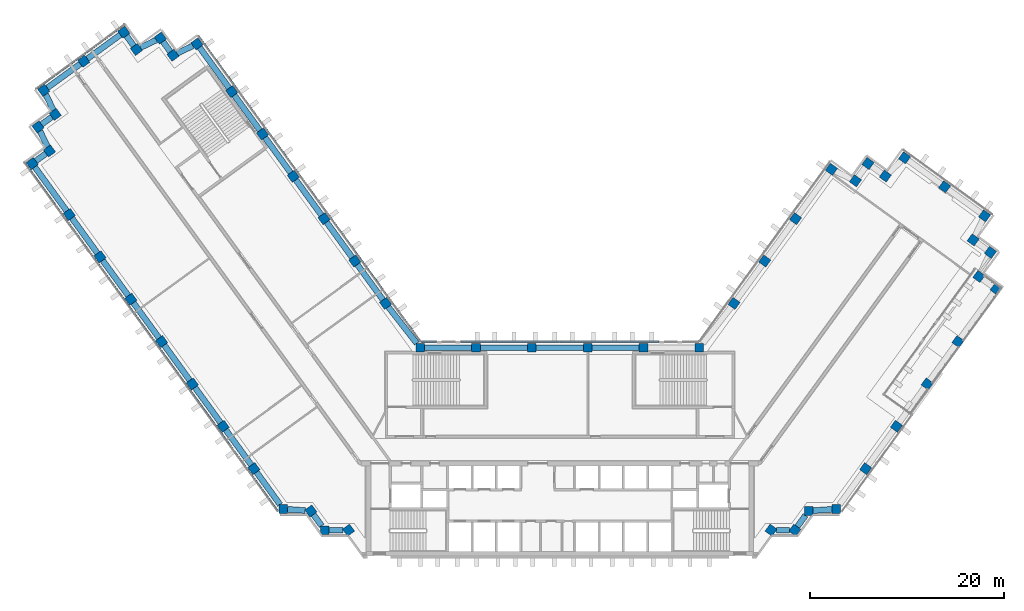
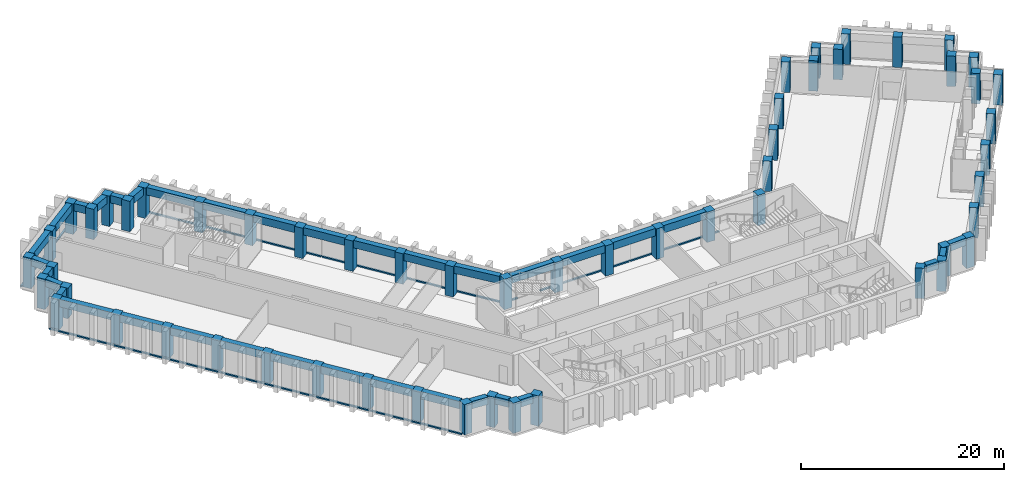
"""IFC4 building model written with IfcOpenShell, lengths in metres."""

from ifc_helpers import new_model, si_unit, direction, frame, origin, origin_2d, place, context, subcontext, project, spatial, rectangle, extrude, material, material_profile, profile_set, type_object, element, aggregate, save


model = new_model("IFC4")

# Units and contexts
model_context = context("Model", 3, precision=1e-05, world=origin(), true_north=direction((0.0, 1.0)))
body_context = subcontext(model_context, "Body", "Model", "MODEL_VIEW")
ifc_project = project(units=[si_unit("LENGTHUNIT", "METRE"), si_unit("AREAUNIT", "SQUARE_METRE"), si_unit("VOLUMEUNIT", "CUBIC_METRE"), si_unit("PLANEANGLEUNIT", "RADIAN"), si_unit("MASSUNIT", "GRAM", prefix="KILO")], contexts=[model_context])

# Site, building, storey
site_placement = place(None, origin())
site = spatial("IfcSite", under=ifc_project, at=site_placement, CompositionType="ELEMENT")
building_placement = place(site_placement, origin())
building = spatial("IfcBuilding", under=site, at=building_placement, Name="Quipu Civic Tower", CompositionType="ELEMENT")
storey_1_placement = place(building_placement, frame((0.0, 0.0, 93.0)))
storey_1 = spatial("IfcBuildingStorey", under=building, at=storey_1_placement, Name="L21", CompositionType="ELEMENT", Elevation=93.0)

# Columns
ifc_material_1 = material(Name="Concrete C60/75", Category="concrete")
ifc_material_profile_1 = material_profile(ifc_material_1, rectangle(XDim=0.89990234375, YDim=0.89990234375, at=origin_2d()), Name="RC900x900")
ifc_profile_set_1 = profile_set([ifc_material_profile_1], Name="Concrete C60/75")
column_type = type_object("IfcColumnType", Name="Perimeter column RC 900x900 C60/75", PredefinedType="COLUMN", material=ifc_profile_set_1)
for number, where, z_axis, x_axis, name in (
    (1, (-17.9736328125, 15.074951171875, 0.0), (0.0, 0.0, 1.0), (-0.587785252292, 0.809016994375, 0.0), "Column L21 W-IN-01"),
    (2, (-21.1474609375, 19.44384765625, 0.0), (0.0, 0.0, 1.0), (-0.587785252292, 0.809016994375, 0.0), "Column L21 W-IN-02"),
    (3, (-24.3212890625, 23.8125, 0.0), (0.0, 0.0, 1.0), (-0.587785252292, 0.809016994375, 0.0), "Column L21 W-IN-03"),
    (4, (-27.4951171875, 28.181396484375, 0.0), (0.0, 0.0, 1.0), (-0.587785252292, 0.809016994375, 0.0), "Column L21 W-IN-04"),
    (5, (-30.6689453125, 32.55029296875, 0.0), (0.0, 0.0, 1.0), (-0.587785252292, 0.809016994375, 0.0), "Column L21 W-IN-05"),
    (6, (-33.843017578125, 36.919189453125, 0.0), (0.0, 0.0, 1.0), (-0.587785252292, 0.809016994375, 0.0), "Column L21 W-IN-06"),
    (7, (-37.425048828125, 41.85009765625, 0.0), (0.0, 0.0, 1.0), (-0.587785252292, 0.809016994375, 0.0), "Column L21 T-Wi.0-W50"),
    (8, (-39.905517578125, 40.666015625, 0.0), (0.0, 0.0, 1.0), (-0.587785252292, 0.809016994375, 0.0), "Column L21 T-Wi.1-W50"),
    (9, (-41.199951171875, 42.445068359375, 0.0), (0.0, 0.0, 1.0), (-0.587785252292, 0.809016994375, 0.0), "Column L21 T-Wi.2-W50"),
    (10, (-43.674560546875, 41.264892578125, 0.0), (0.0, 0.0, 1.0), (-0.809016994375, -0.587785252292, 0.0), "Column L21 T-Wi.3-W50"),
    (11, (-44.969970703125, 43.044921875, 0.0), (0.0, 0.0, 1.0), (-0.809016994375, -0.587785252292, 0.0), "Column L21 T-Wi.4-W50"),
    (12, (-49.095703125, 40.046875, 0.0), (0.0, 0.0, 1.0), (-0.809016994375, -0.587785252292, 0.0), "Column L21 TIP-W-01-W50"),
    (13, (-53.219970703125, 37.050048828125, 0.0), (0.0, 0.0, 1.0), (0.587785252292, -0.809016994375, 0.0), "Column L21 T-Wo.0-W50"),
    (14, (-52.038818359375, 34.571044921875, 0.0), (0.0, 0.0, 1.0), (-0.809016994375, -0.587785252292, 0.0), "Column L21 T-Wo.1-W50"),
    (15, (-53.820068359375, 33.27490234375, 0.0), (0.0, 0.0, 1.0), (0.587785252292, -0.809016994375, 0.0), "Column L21 T-Wo.2-W50"),
    (16, (-52.635986328125, 30.799560546875, 0.0), (0.0, 0.0, 1.0), (-0.809016994375, -0.587785252292, 0.0), "Column L21 T-Wo.3-W50"),
    (17, (-54.4150390625, 29.5048828125, 0.0), (0.0, 0.0, 1.0), (0.587785252292, -0.809016994375, 0.0), "Column L21 T-Wo.4-W50"),
    (18, (-50.59228515625, 24.243408203125, 0.0), (0.0, 0.0, 1.0), (0.587785252292, -0.809016994375, 0.0), "Column L21 W-OUT-07"),
    (19, (-47.41845703125, 19.874755859375, 0.0), (0.0, 0.0, 1.0), (0.587785252292, -0.809016994375, 0.0), "Column L21 W-OUT-06"),
    (20, (-44.244384765625, 15.506103515625, 0.0), (0.0, 0.0, 1.0), (0.587785252292, -0.809016994375, 0.0), "Column L21 W-OUT-05"),
    (21, (-41.0703125, 11.137451171875, 0.0), (0.0, 0.0, 1.0), (0.587785252292, -0.809016994375, 0.0), "Column L21 W-OUT-04"),
    (22, (-37.896240234375, 6.768798828125, 0.0), (0.0, 0.0, 1.0), (0.587785252292, -0.809016994375, 0.0), "Column L21 W-OUT-03"),
    (23, (-34.722412109375, 2.39990234375, 0.0), (0.0, 0.0, 1.0), (0.587785252292, -0.809016994375, 0.0), "Column L21 W-OUT-02"),
    (24, (-31.54833984375, -1.96875, 0.0), (0.0, 0.0, 1.0), (0.587785252292, -0.809016994375, 0.0), "Column L21 W-OUT-01"),
    (25, (-28.52490234375, -6.1298828125, 0.0), (0.0, 0.0, 1.0), (1.0, 0.0, 0.0), "Column L21 J-Wo.0"),
    (26, (-25.67431640625, -6.3369140625, 0.0), (0.0, 0.0, 1.0), (0.587785252292, -0.809016994375, 0.0), "Column L21 J-Wo.1"),
    (27, (-24.235107421875, -8.31494140625, 0.0), (0.0, 0.0, 1.0), (1.0, 0.0, 0.0), "Column L21 J-Wo.2"),
    (28, (-21.791748046875, -8.31494140625, 0.0), (0.0, 0.0, 1.0), (0.587785252292, -0.809016994375, 0.0), "Column L21 J-Wo.3"),
    (29, (21.791748046875, -8.31494140625, 0.0), (0.0, 0.0, 1.0), (0.587785252292, 0.809016994375, 0.0), "Column L21 J-Eo.1"),
    (30, (24.235107421875, -8.31494140625, 0.0), (0.0, 0.0, 1.0), (0.587785252292, 0.809016994375, 0.0), "Column L21 J-Eo.2"),
    (31, (25.67431640625, -6.3369140625, 0.0), (0.0, 0.0, 1.0), (1.0, 0.0, 0.0), "Column L21 J-Eo.3"),
    (32, (28.52490234375, -6.1298828125, 0.0), (0.0, 0.0, 1.0), (1.0, 0.0, 0.0), "Column L21 J-Eo.4"),
    (33, (31.54833984375, -1.96875, 0.0), (0.0, 0.0, 1.0), (0.587785252292, 0.809016994375, 0.0), "Column L21 E-OUT-01"),
    (34, (34.722412109375, 2.39990234375, 0.0), (0.0, 0.0, 1.0), (0.587785252292, 0.809016994375, 0.0), "Column L21 E-OUT-02"),
    (35, (37.896240234375, 6.768798828125, 0.0), (0.0, 0.0, 1.0), (0.587785252292, 0.809016994375, 0.0), "Column L21 E-OUT-03"),
    (36, (41.0703125, 11.137451171875, 0.0), (0.0, 0.0, 1.0), (0.587785252292, 0.809016994375, 0.0), "Column L21 E-OUT-04"),
    (37, (45.010009765625, 16.56005859375, 0.0), (0.0, 0.0, 1.0), (0.587785252292, 0.809016994375, 0.0), "Column L21 T-Eo.0-E34"),
    (38, (43.23095703125, 17.8544921875, 0.0), (0.0, 0.0, 1.0), (0.587785252292, 0.809016994375, 0.0), "Column L21 T-Eo.1-E34"),
    (39, (44.4150390625, 20.3349609375, 0.0), (0.0, 0.0, 1.0), (0.587785252292, 0.809016994375, 0.0), "Column L21 T-Eo.2-E34"),
    (40, (42.635009765625, 21.626220703125, 0.0), (0.0, 0.0, 1.0), (-0.809016994375, 0.587785252292, 0.0), "Column L21 T-Eo.3-E34"),
    (41, (43.81494140625, 24.10498046875, 0.0), (0.0, 0.0, 1.0), (-0.809016994375, 0.587785252292, 0.0), "Column L21 T-Eo.4-E34"),
    (42, (39.690673828125, 27.10205078125, 0.0), (0.0, 0.0, 1.0), (-0.809016994375, 0.587785252292, 0.0), "Column L21 TIP-E-01-E34"),
    (43, (35.56494140625, 30.10009765625, 0.0), (0.0, 0.0, 1.0), (-0.587785252292, -0.809016994375, 0.0), "Column L21 T-Ei.0-E34"),
    (44, (33.573974609375, 28.20947265625, 0.0), (0.0, 0.0, 1.0), (-0.809016994375, 0.587785252292, 0.0), "Column L21 T-Ei.1-E34"),
    (45, (31.794921875, 29.5, 0.0), (0.0, 0.0, 1.0), (-0.587785252292, -0.809016994375, 0.0), "Column L21 T-Ei.2-E34"),
    (46, (30.498779296875, 27.72265625, 0.0), (0.0, 0.0, 1.0), (-0.809016994375, 0.587785252292, 0.0), "Column L21 T-Ei.3-E34"),
    (47, (28.02001953125, 28.905029296875, 0.0), (0.0, 0.0, 1.0), (-0.809016994375, 0.587785252292, 0.0), "Column L21 T-Ei.4-E34"),
    (48, (24.3212890625, 23.8125, 0.0), (0.0, 0.0, 1.0), (-0.587785252292, -0.809016994375, 0.0), "Column L21 E-IN-03"),
    (49, (21.1474609375, 19.44384765625, 0.0), (0.0, 0.0, 1.0), (-0.587785252292, -0.809016994375, 0.0), "Column L21 E-IN-02"),
    (50, (17.9736328125, 15.074951171875, 0.0), (0.0, 0.0, 1.0), (-0.587785252292, -0.809016994375, 0.0), "Column L21 E-IN-01"),
    (51, (14.395263671875, 10.5, 0.0), (0.0, 0.0, 1.0), (-1.0, 0.0, 0.0), "Column L21 J-Ei.0"),
    (52, (8.63720703125, 10.5, 0.0), (0.0, 0.0, 1.0), (-1.0, 0.0, 0.0), "Column L21 FRONT-01"),
    (53, (2.87890625, 10.5, 0.0), (0.0, 0.0, 1.0), (-1.0, 0.0, 0.0), "Column L21 FRONT-02"),
    (54, (-2.87890625, 10.5, 0.0), (0.0, 0.0, 1.0), (-1.0, 0.0, 0.0), "Column L21 FRONT-03"),
    (55, (-8.63720703125, 10.5, 0.0), (0.0, 0.0, 1.0), (-1.0, 0.0, 0.0), "Column L21 FRONT-04"),
    (56, (-14.395263671875, 10.5, 0.0), (0.0, 0.0, 1.0), (-1.0, 0.0, 0.0), "Column L21 J-Wi.0"),
):
    element("IfcColumn", number, at=place(storey_1_placement, frame(where, z_axis=z_axis, x_axis=x_axis)), inside=storey_1, type_object=column_type, Name=name, PredefinedType="COLUMN", context=body_context, shape_type="SweptSolid", body=[
        extrude(rectangle(XDim=0.89990234375, YDim=0.89990234375, at=origin_2d()), origin(), (0.0, 0.0, 1.0), 3.64990234375),
    ])

# Beams
ifc_material_2 = material(Name="Concrete C50/60", Category="concrete")
ifc_material_profile_2 = material_profile(ifc_material_2, rectangle(XDim=0.60009765625, YDim=0.89990234375, at=origin_2d()), Name="RC600x900")
ifc_profile_set_2 = profile_set([ifc_material_profile_2], Name="Concrete C50/60")
beam_type = type_object("IfcBeamType", Name="Spandrel beam RC 600x900 C50/60", PredefinedType="SPANDREL", material=ifc_profile_set_2)
for number, where, z_axis, x_axis, name in (
    (57, (-18.238037109375, 15.43896484375, 3.199951171875), (-0.587716763865, 0.809066749701, 0.0), (-0.809066749701, -0.587716763865, 0.0), "Spandrel beam L21 W-IN-01 to W-IN-02"),
    (58, (-21.411865234375, 19.807861328125, 3.199951171875), (-0.587778073121, 0.809022210299, 0.0), (-0.809022210299, -0.587778073121, 0.0), "Spandrel beam L21 W-IN-02 to W-IN-03"),
    (59, (-24.585693359375, 24.1767578125, 3.199951171875), (-0.587778073121, 0.809022210299, 0.0), (-0.809022210299, -0.587778073121, 0.0), "Spandrel beam L21 W-IN-03 to W-IN-04"),
    (60, (-27.759765625, 28.545654296875, 3.199951171875), (-0.587742561851, 0.809048009076, 0.0), (-0.809048009076, -0.587742561851, 0.0), "Spandrel beam L21 W-IN-04 to W-IN-05"),
    (61, (-30.93359375, 32.914306640625, 3.199951171875), (-0.587716763865, 0.809066749701, 0.0), (-0.809066749701, -0.587716763865, 0.0), "Spandrel beam L21 W-IN-05 to W-IN-06"),
):
    element("IfcBeam", number, at=place(storey_1_placement, frame(where, z_axis=z_axis, x_axis=x_axis)), inside=storey_1, type_object=beam_type, Name=name, PredefinedType="SPANDREL", context=body_context, shape_type="SweptSolid", body=[
        extrude(rectangle(XDim=0.60009765625, YDim=0.89990234375, at=origin_2d()), origin(), (0.0, 0.0, 1.0), 4.5),
    ])
beam_1_placement = place(storey_1_placement, frame((-34.107421875, 37.283203125, 3.199951171875), z_axis=(-0.587732861365, 0.80905505602, 0.0), x_axis=(-0.80905505602, -0.587732861365, 0.0)))
element("IfcBeam", 62, at=beam_1_placement, inside=storey_1, type_object=beam_type, Name="Spandrel beam L21 W-IN-06 to T-Wi.0-W50", PredefinedType="SPANDREL", context=body_context, shape_type="SweptSolid", body=[
    extrude(rectangle(XDim=0.60009765625, YDim=0.89990234375, at=origin_2d()), origin(), (0.0, 0.0, 1.0), 5.194580078125),
])
beam_2_placement = place(storey_1_placement, frame((-37.837890625, 41.65283203125, 3.199951171875), z_axis=(-0.90245397739, -0.430786279601, 0.0), x_axis=(0.430786279601, -0.90245397739, 0.0)))
element("IfcBeam", 63, at=beam_2_placement, inside=storey_1, type_object=beam_type, Name="Spandrel beam L21 T-Wi.0-W50 to T-Wi.1-W50", PredefinedType="SPANDREL", context=body_context, shape_type="SweptSolid", body=[
    extrude(rectangle(XDim=0.60009765625, YDim=0.89990234375, at=origin_2d()), origin(), (0.0, 0.0, 1.0), 1.83349609375),
])
beam_3_placement = place(storey_1_placement, frame((-40.170166015625, 41.02978515625, 3.199951171875), z_axis=(-0.588461937499, 0.808524921146, 0.0), x_axis=(-0.808524921146, -0.588461937499, 0.0)))
element("IfcBeam", 64, at=beam_3_placement, inside=storey_1, type_object=beam_type, Name="Spandrel beam L21 T-Wi.1-W50 to T-Wi.2-W50", PredefinedType="SPANDREL", context=body_context, shape_type="SweptSolid", body=[
    extrude(rectangle(XDim=0.60009765625, YDim=0.89990234375, at=origin_2d()), origin(), (0.0, 0.0, 1.0), 1.30029296875),
])
beam_4_placement = place(storey_1_placement, frame((-41.613037109375, 42.248046875, 3.199951171875), z_axis=(-0.902613270121, -0.430452418511, 0.0), x_axis=(0.430452418511, -0.902613270121, 0.0)))
element("IfcBeam", 65, at=beam_4_placement, inside=storey_1, type_object=beam_type, Name="Spandrel beam L21 T-Wi.2-W50 to T-Wi.3-W50", PredefinedType="SPANDREL", context=body_context, shape_type="SweptSolid", body=[
    extrude(rectangle(XDim=0.60009765625, YDim=0.89990234375, at=origin_2d()), origin(), (0.0, 0.0, 1.0), 1.826416015625),
])
beam_5_placement = place(storey_1_placement, frame((-43.939453125, 41.628662109375, 3.199951171875), z_axis=(-0.588383572423, 0.808581951136, 0.0), x_axis=(-0.808581951136, -0.588383572423, 0.0)))
element("IfcBeam", 66, at=beam_5_placement, inside=storey_1, type_object=beam_type, Name="Spandrel beam L21 T-Wi.3-W50 to T-Wi.4-W50", PredefinedType="SPANDREL", context=body_context, shape_type="SweptSolid", body=[
    extrude(rectangle(XDim=0.60009765625, YDim=0.89990234375, at=origin_2d()), origin(), (0.0, 0.0, 1.0), 1.3017578125),
])
beam_6_placement = place(storey_1_placement, frame((-45.333984375, 42.780517578125, 3.199951171875), z_axis=(-0.808969789945, -0.58785021813, 0.0), x_axis=(0.58785021813, -0.808969789945, 0.0)))
element("IfcBeam", 67, at=beam_6_placement, inside=storey_1, type_object=beam_type, Name="Spandrel beam L21 T-Wi.4-W50 to TIP-W-01-W50", PredefinedType="SPANDREL", context=body_context, shape_type="SweptSolid", body=[
    extrude(rectangle(XDim=0.60009765625, YDim=0.89990234375, at=origin_2d()), origin(), (0.0, 0.0, 1.0), 4.199951171875),
])
beam_7_placement = place(storey_1_placement, frame((-49.459716796875, 39.782470703125, 3.199951171875), z_axis=(-0.808959834407, -0.587863918196, 0.0), x_axis=(0.587863918196, -0.808959834407, 0.0)))
element("IfcBeam", 68, at=beam_7_placement, inside=storey_1, type_object=beam_type, Name="Spandrel beam L21 TIP-W-01-W50 to T-Wo.0-W50", PredefinedType="SPANDREL", context=body_context, shape_type="SweptSolid", body=[
    extrude(rectangle(XDim=0.60009765625, YDim=0.89990234375, at=origin_2d()), origin(), (0.0, 0.0, 1.0), 4.1982421875),
])
beam_8_placement = place(storey_1_placement, frame((-53.023193359375, 36.63671875, 3.199951171875), z_axis=(0.430166558323, -0.902749540072, 0.0), x_axis=(0.902749540072, 0.430166558323, 0.0)))
element("IfcBeam", 69, at=beam_8_placement, inside=storey_1, type_object=beam_type, Name="Spandrel beam L21 T-Wo.0-W50 to T-Wo.1-W50", PredefinedType="SPANDREL", context=body_context, shape_type="SweptSolid", body=[
    extrude(rectangle(XDim=0.60009765625, YDim=0.89990234375, at=origin_2d()), origin(), (0.0, 0.0, 1.0), 1.830322265625),
])
beam_9_placement = place(storey_1_placement, frame((-52.40283203125, 34.306396484375, 3.199951171875), z_axis=(-0.808509099783, -0.588483674853, 0.0), x_axis=(0.588483674853, -0.808509099783, 0.0)))
element("IfcBeam", 70, at=beam_9_placement, inside=storey_1, type_object=beam_type, Name="Spandrel beam L21 T-Wo.1-W50 to T-Wo.2-W50", PredefinedType="SPANDREL", context=body_context, shape_type="SweptSolid", body=[
    extrude(rectangle(XDim=0.60009765625, YDim=0.89990234375, at=origin_2d()), origin(), (0.0, 0.0, 1.0), 1.302734375),
])
beam_10_placement = place(storey_1_placement, frame((-53.62255859375, 32.8623046875, 3.199951171875), z_axis=(0.431446050156, -0.902138739776, 0.0), x_axis=(0.902138739776, 0.431446050156, 0.0)))
element("IfcBeam", 71, at=beam_10_placement, inside=storey_1, type_object=beam_type, Name="Spandrel beam L21 T-Wo.2-W50 to T-Wo.3-W50", PredefinedType="SPANDREL", context=body_context, shape_type="SweptSolid", body=[
    extrude(rectangle(XDim=0.60009765625, YDim=0.89990234375, at=origin_2d()), origin(), (0.0, 0.0, 1.0), 1.828857421875),
])
beam_11_placement = place(storey_1_placement, frame((-53.0, 30.53466796875, 3.199951171875), z_axis=(-0.808549242423, -0.588428519514, 0.0), x_axis=(0.588428519514, -0.808549242423, 0.0)))
element("IfcBeam", 72, at=beam_11_placement, inside=storey_1, type_object=beam_type, Name="Spandrel beam L21 T-Wo.3-W50 to T-Wo.4-W50", PredefinedType="SPANDREL", context=body_context, shape_type="SweptSolid", body=[
    extrude(rectangle(XDim=0.60009765625, YDim=0.89990234375, at=origin_2d()), origin(), (0.0, 0.0, 1.0), 1.2998046875),
])
beam_12_placement = place(storey_1_placement, frame((-54.150390625, 29.140869140625, 3.199951171875), z_axis=(0.587772657145, -0.809026145135, 0.0), x_axis=(0.809026145135, 0.587772657145, 0.0)))
element("IfcBeam", 73, at=beam_12_placement, inside=storey_1, type_object=beam_type, Name="Spandrel beam L21 T-Wo.4-W50 to W-OUT-07", PredefinedType="SPANDREL", context=body_context, shape_type="SweptSolid", body=[
    extrude(rectangle(XDim=0.60009765625, YDim=0.89990234375, at=origin_2d()), origin(), (0.0, 0.0, 1.0), 5.603271484375),
])
beam_13_placement = place(storey_1_placement, frame((-50.327880859375, 23.87939453125, 3.199951171875), z_axis=(0.587778073121, -0.809022210299, 0.0), x_axis=(0.809022210299, 0.587778073121, 0.0)))
element("IfcBeam", 74, at=beam_13_placement, inside=storey_1, type_object=beam_type, Name="Spandrel beam L21 W-OUT-07 to W-OUT-06", PredefinedType="SPANDREL", context=body_context, shape_type="SweptSolid", body=[
    extrude(rectangle(XDim=0.60009765625, YDim=0.89990234375, at=origin_2d()), origin(), (0.0, 0.0, 1.0), 4.5),
])
beam_14_placement = place(storey_1_placement, frame((-47.15380859375, 19.5107421875, 3.199951171875), z_axis=(0.587803872688, -0.809003465539, 0.0), x_axis=(0.809003465539, 0.587803872688, 0.0)))
element("IfcBeam", 75, at=beam_14_placement, inside=storey_1, type_object=beam_type, Name="Spandrel beam L21 W-OUT-06 to W-OUT-05", PredefinedType="SPANDREL", context=body_context, shape_type="SweptSolid", body=[
    extrude(rectangle(XDim=0.60009765625, YDim=0.89990234375, at=origin_2d()), origin(), (0.0, 0.0, 1.0), 4.499755859375),
])
for number, where, z_axis, x_axis, name in (
    (76, (-43.97998046875, 15.14208984375, 3.199951171875), (0.587778073121, -0.809022210299, 0.0), (0.809022210299, 0.587778073121, 0.0), "Spandrel beam L21 W-OUT-05 to W-OUT-04"),
    (77, (-40.805908203125, 10.7734375, 3.199951171875), (0.587778073121, -0.809022210299, 0.0), (0.809022210299, 0.587778073121, 0.0), "Spandrel beam L21 W-OUT-04 to W-OUT-03"),
):
    element("IfcBeam", number, at=place(storey_1_placement, frame(where, z_axis=z_axis, x_axis=x_axis)), inside=storey_1, type_object=beam_type, Name=name, PredefinedType="SPANDREL", context=body_context, shape_type="SweptSolid", body=[
        extrude(rectangle(XDim=0.60009765625, YDim=0.89990234375, at=origin_2d()), origin(), (0.0, 0.0, 1.0), 4.5),
    ])
beam_15_placement = place(storey_1_placement, frame((-37.6318359375, 6.404541015625, 3.199951171875), z_axis=(0.587803872688, -0.809003465539, 0.0), x_axis=(0.809003465539, 0.587803872688, 0.0)))
element("IfcBeam", 78, at=beam_15_placement, inside=storey_1, type_object=beam_type, Name="Spandrel beam L21 W-OUT-03 to W-OUT-02", PredefinedType="SPANDREL", context=body_context, shape_type="SweptSolid", body=[
    extrude(rectangle(XDim=0.60009765625, YDim=0.89990234375, at=origin_2d()), origin(), (0.0, 0.0, 1.0), 4.499755859375),
])
beam_16_placement = place(storey_1_placement, frame((-34.457763671875, 2.035888671875, 3.199951171875), z_axis=(0.587778073121, -0.809022210299, 0.0), x_axis=(0.809022210299, 0.587778073121, 0.0)))
element("IfcBeam", 79, at=beam_16_placement, inside=storey_1, type_object=beam_type, Name="Spandrel beam L21 W-OUT-02 to W-OUT-01", PredefinedType="SPANDREL", context=body_context, shape_type="SweptSolid", body=[
    extrude(rectangle(XDim=0.60009765625, YDim=0.89990234375, at=origin_2d()), origin(), (0.0, 0.0, 1.0), 4.5),
])
beam_17_placement = place(storey_1_placement, frame((-31.28369140625, -2.332763671875, 3.199951171875), z_axis=(0.587750565781, -0.809042194464, 0.0), x_axis=(0.809042194464, 0.587750565781, 0.0)))
element("IfcBeam", 80, at=beam_17_placement, inside=storey_1, type_object=beam_type, Name="Spandrel beam L21 W-OUT-01 to J-Wo.0", PredefinedType="SPANDREL", context=body_context, shape_type="SweptSolid", body=[
    extrude(rectangle(XDim=0.60009765625, YDim=0.89990234375, at=origin_2d()), origin(), (0.0, 0.0, 1.0), 4.13720703125),
])
beam_18_placement = place(storey_1_placement, frame((-28.074951171875, -6.16259765625, 3.199951171875), z_axis=(0.997367229877, -0.072516265536, 0.0), x_axis=(0.072516265536, 0.997367229877, 0.0)))
element("IfcBeam", 81, at=beam_18_placement, inside=storey_1, type_object=beam_type, Name="Spandrel beam L21 J-Wo.0 to J-Wo.1", PredefinedType="SPANDREL", context=body_context, shape_type="SweptSolid", body=[
    extrude(rectangle(XDim=0.60009765625, YDim=0.89990234375, at=origin_2d()), origin(), (0.0, 0.0, 1.0), 1.818115234375),
])
beam_19_placement = place(storey_1_placement, frame((-25.40966796875, -6.700927734375, 3.199951171875), z_axis=(0.588433824377, -0.808545381738, 0.0), x_axis=(0.808545381738, 0.588433824377, 0.0)))
element("IfcBeam", 82, at=beam_19_placement, inside=storey_1, type_object=beam_type, Name="Spandrel beam L21 J-Wo.1 to J-Wo.2", PredefinedType="SPANDREL", context=body_context, shape_type="SweptSolid", body=[
    extrude(rectangle(XDim=0.60009765625, YDim=0.89990234375, at=origin_2d()), origin(), (0.0, 0.0, 1.0), 1.439697265625),
])
beam_20_placement = place(storey_1_placement, frame((-23.784912109375, -8.31494140625, 3.199951171875), z_axis=(1.0, 0.0, 0.0), x_axis=(0.0, 1.0, 0.0)))
element("IfcBeam", 83, at=beam_20_placement, inside=storey_1, type_object=beam_type, Name="Spandrel beam L21 J-Wo.2 to J-Wo.3", PredefinedType="SPANDREL", context=body_context, shape_type="SweptSolid", body=[
    extrude(rectangle(XDim=0.60009765625, YDim=0.89990234375, at=origin_2d()), origin(), (0.0, 0.0, 1.0), 1.436767578125),
])
beam_21_placement = place(storey_1_placement, frame((22.34814453125, -8.31494140625, 3.199951171875), z_axis=(1.0, 0.0, 0.0), x_axis=(0.0, 1.0, 0.0)))
element("IfcBeam", 84, at=beam_21_placement, inside=storey_1, type_object=beam_type, Name="Spandrel beam L21 J-Eo.1 to J-Eo.2", PredefinedType="SPANDREL", context=body_context, shape_type="SweptSolid", body=[
    extrude(rectangle(XDim=0.60009765625, YDim=0.89990234375, at=origin_2d()), origin(), (0.0, 0.0, 1.0), 1.33056640625),
])
beam_22_placement = place(storey_1_placement, frame((24.499755859375, -7.951171875, 3.199951171875), z_axis=(0.588433824377, 0.808545381738, 0.0), x_axis=(-0.808545381738, 0.588433824377, 0.0)))
element("IfcBeam", 85, at=beam_22_placement, inside=storey_1, type_object=beam_type, Name="Spandrel beam L21 J-Eo.2 to J-Eo.3", PredefinedType="SPANDREL", context=body_context, shape_type="SweptSolid", body=[
    extrude(rectangle(XDim=0.60009765625, YDim=0.89990234375, at=origin_2d()), origin(), (0.0, 0.0, 1.0), 1.439697265625),
])
beam_23_placement = place(storey_1_placement, frame((26.12451171875, -6.304443359375, 3.199951171875), z_axis=(0.997365981169, 0.072533437859, 0.0), x_axis=(-0.072533437859, 0.997365981169, 0.0)))
element("IfcBeam", 86, at=beam_23_placement, inside=storey_1, type_object=beam_type, Name="Spandrel beam L21 J-Eo.3 to J-Eo.4", PredefinedType="SPANDREL", context=body_context, shape_type="SweptSolid", body=[
    extrude(rectangle(XDim=0.60009765625, YDim=0.89990234375, at=origin_2d()), origin(), (0.0, 0.0, 1.0), 1.95556640625),
])
for number, where, z_axis, x_axis, name in (
    (87, (8.18701171875, 10.5, 3.199951171875), (-1.0, 0.0, 0.0), (0.0, -1.0, 0.0), "Spandrel beam L21 FRONT-01 to FRONT-02"),
    (88, (2.428955078125, 10.5, 3.199951171875), (-1.0, 0.0, 0.0), (0.0, -1.0, 0.0), "Spandrel beam L21 FRONT-02 to FRONT-03"),
    (89, (-3.3291015625, 10.5, 3.199951171875), (-1.0, 0.0, 0.0), (0.0, -1.0, 0.0), "Spandrel beam L21 FRONT-03 to FRONT-04"),
):
    element("IfcBeam", number, at=place(storey_1_placement, frame(where, z_axis=z_axis, x_axis=x_axis)), inside=storey_1, type_object=beam_type, Name=name, PredefinedType="SPANDREL", context=body_context, shape_type="SweptSolid", body=[
        extrude(rectangle(XDim=0.60009765625, YDim=0.89990234375, at=origin_2d()), origin(), (0.0, 0.0, 1.0), 4.85791015625),
    ])
beam_24_placement = place(storey_1_placement, frame((-9.087158203125, 10.5, 3.199951171875), z_axis=(-1.0, 0.0, 0.0), x_axis=(0.0, -1.0, 0.0)))
element("IfcBeam", 90, at=beam_24_placement, inside=storey_1, type_object=beam_type, Name="Spandrel beam L21 FRONT-04 to J-Wi.0", PredefinedType="SPANDREL", context=body_context, shape_type="SweptSolid", body=[
    extrude(rectangle(XDim=0.60009765625, YDim=0.89990234375, at=origin_2d()), origin(), (0.0, 0.0, 1.0), 4.858154296875),
])
beam_25_placement = place(storey_1_placement, frame((-14.7470703125, 10.949951171875, 3.199951171875), z_axis=(-0.616123961998, 0.787649200756, 0.0), x_axis=(-0.787649200756, -0.616123961998, 0.0)))
element("IfcBeam", 91, at=beam_25_placement, inside=storey_1, type_object=beam_type, Name="Spandrel beam L21 J-Wi.0 to W-IN-01", PredefinedType="SPANDREL", context=body_context, shape_type="SweptSolid", body=[
    extrude(rectangle(XDim=0.60009765625, YDim=0.89990234375, at=origin_2d()), origin(), (0.0, 0.0, 1.0), 4.78662109375),
])

# Storey
storey_2_placement = place(building_placement, frame((0.0, 0.0, 89.0)))
storey_2 = spatial("IfcBuildingStorey", under=building, at=storey_2_placement, Name="L20", CompositionType="ELEMENT", Elevation=89.0)

# Curtain wall, members
ifc_material_3 = material(Name="Insulated glass unit", Category="glass")
curtain_wall_type = type_object("IfcCurtainWallType", Name="Office curtain wall CW1", PredefinedType="NOTDEFINED", material=ifc_material_3)
curtain_wall_1_placement = place(storey_2_placement, origin())
curtain_wall_1 = element("IfcCurtainWall", 92, at=curtain_wall_1_placement, inside=storey_2, type_object=curtain_wall_type, Name="Office curtain wall CW1 L19 run 14", PredefinedType="NOTDEFINED")
ifc_material_4 = material(Name="Anodised aluminium", Category="aluminium")
ifc_material_profile_3 = material_profile(ifc_material_4, rectangle(XDim=0.199951171875, YDim=0.159912109375, at=origin_2d()), Name="RECT 200x160")
ifc_profile_set_3 = profile_set([ifc_material_profile_3], Name="Anodised aluminium")
member_type = type_object("IfcMemberType", Name="Transom CW1", PredefinedType="USERDEFINED", material=ifc_profile_set_3)
member_1_placement = place(storey_1_placement, frame((10.18359375, 11.10009765625, 0.080078125), z_axis=(-1.0, 0.0, 0.0), x_axis=(0.0, -1.0, 0.0)))
member_1 = element("IfcMember", 93, at=member_1_placement, inside=storey_1, type_object=member_type, Name="CW1 transom 1.3", ObjectType="TRANSOM", PredefinedType="USERDEFINED", context=body_context, shape_type="SweptSolid", body=[
    extrude(rectangle(XDim=0.199951171875, YDim=0.159912109375, at=origin_2d()), origin(), (0.0, 0.0, 1.0), 10.1435546875),
])
member_2_placement = place(storey_1_placement, frame((-0.0400390625, 11.10009765625, 0.080078125), z_axis=(-1.0, 0.0, 0.0), x_axis=(0.0, -1.0, 0.0)))
member_2 = element("IfcMember", 94, at=member_2_placement, inside=storey_1, type_object=member_type, Name="CW1 transom 2.3", ObjectType="TRANSOM", PredefinedType="USERDEFINED", context=body_context, shape_type="SweptSolid", body=[
    extrude(rectangle(XDim=0.199951171875, YDim=0.159912109375, at=origin_2d()), origin(), (0.0, 0.0, 1.0), 10.1435546875),
])
aggregate(curtain_wall_1, [member_1, member_2])

# Curtain wall, member
curtain_wall_2_placement = place(storey_2_placement, origin())
curtain_wall_2 = element("IfcCurtainWall", 95, at=curtain_wall_2_placement, inside=storey_2, type_object=curtain_wall_type, Name="Office curtain wall CW1 L19 run 16", PredefinedType="NOTDEFINED")
member_3_placement = place(storey_1_placement, frame((-12.735107421875, 11.10009765625, 0.080078125), z_axis=(-1.0, 0.0, 0.0), x_axis=(0.0, -1.0, 0.0)))
member_3 = element("IfcMember", 96, at=member_3_placement, inside=storey_1, type_object=member_type, Name="CW1 transom 1.3", ObjectType="TRANSOM", PredefinedType="USERDEFINED", context=body_context, shape_type="SweptSolid", body=[
    extrude(rectangle(XDim=0.199951171875, YDim=0.159912109375, at=origin_2d()), origin(), (0.0, 0.0, 1.0), 1.529052734375),
])
aggregate(curtain_wall_2, [member_3])

# Curtain wall, members
curtain_wall_3_placement = place(storey_2_placement, origin())
curtain_wall_3 = element("IfcCurtainWall", 97, at=curtain_wall_3_placement, inside=storey_2, type_object=curtain_wall_type, Name="Office curtain wall CW1 L19 run 17", PredefinedType="NOTDEFINED")
member_4_placement = place(storey_1_placement, frame((-14.39111328125, 11.164794921875, 0.080078125), z_axis=(-0.58779220199, 0.809011945079, 0.0), x_axis=(-0.809011945079, -0.58779220199, 0.0)))
member_4 = element("IfcMember", 98, at=member_4_placement, inside=storey_1, type_object=member_type, Name="CW1 transom 1.3", ObjectType="TRANSOM", PredefinedType="USERDEFINED", context=body_context, shape_type="SweptSolid", body=[
    extrude(rectangle(XDim=0.199951171875, YDim=0.159912109375, at=origin_2d()), origin(), (0.0, 0.0, 1.0), 9.64111328125),
])
member_5_placement = place(storey_1_placement, frame((-20.105224609375, 19.029296875, 0.080078125), z_axis=(-0.587793764301, 0.80901080997, 0.0), x_axis=(-0.80901080997, -0.587793764301, 0.0)))
member_5 = element("IfcMember", 99, at=member_5_placement, inside=storey_1, type_object=member_type, Name="CW1 transom 2.3", ObjectType="TRANSOM", PredefinedType="USERDEFINED", context=body_context, shape_type="SweptSolid", body=[
    extrude(rectangle(XDim=0.199951171875, YDim=0.159912109375, at=origin_2d()), origin(), (0.0, 0.0, 1.0), 9.680908203125),
])
member_6_placement = place(storey_1_placement, frame((-25.842529296875, 26.926025390625, 0.080078125), z_axis=(-0.58778177227, 0.809019522748, 0.0), x_axis=(-0.809019522748, -0.58778177227, 0.0)))
member_6 = element("IfcMember", 100, at=member_6_placement, inside=storey_1, type_object=member_type, Name="CW1 transom 3.3", ObjectType="TRANSOM", PredefinedType="USERDEFINED", context=body_context, shape_type="SweptSolid", body=[
    extrude(rectangle(XDim=0.199951171875, YDim=0.159912109375, at=origin_2d()), origin(), (0.0, 0.0, 1.0), 9.68115234375),
])
member_7_placement = place(storey_1_placement, frame((-31.580078125, 34.822998046875, 0.080078125), z_axis=(-0.587775627857, 0.809023986849, 0.0), x_axis=(-0.809023986849, -0.587775627857, 0.0)))
member_7 = element("IfcMember", 101, at=member_7_placement, inside=storey_1, type_object=member_type, Name="CW1 transom 4.3", ObjectType="TRANSOM", PredefinedType="USERDEFINED", context=body_context, shape_type="SweptSolid", body=[
    extrude(rectangle(XDim=0.199951171875, YDim=0.159912109375, at=origin_2d()), origin(), (0.0, 0.0, 1.0), 9.64111328125),
])
aggregate(curtain_wall_3, [member_4, member_5, member_6, member_7])

# Curtain wall, member
curtain_wall_4_placement = place(storey_2_placement, origin())
curtain_wall_4 = element("IfcCurtainWall", 102, at=curtain_wall_4_placement, inside=storey_2, type_object=curtain_wall_type, Name="Office curtain wall CW1 L19 run 22", PredefinedType="NOTDEFINED")
member_8_placement = place(storey_1_placement, frame((-44.9013671875, 43.8349609375, 0.080078125), z_axis=(-0.809032792449, -0.587763507495, 0.0), x_axis=(0.587763507495, -0.809032792449, 0.0)))
member_8 = element("IfcMember", 103, at=member_8_placement, inside=storey_1, type_object=member_type, Name="CW1 transom 1.3", ObjectType="TRANSOM", PredefinedType="USERDEFINED", context=body_context, shape_type="SweptSolid", body=[
    extrude(rectangle(XDim=0.199951171875, YDim=0.159912109375, at=origin_2d()), origin(), (0.0, 0.0, 1.0), 11.239990234375),
])
aggregate(curtain_wall_4, [member_8])

# Curtain wall, members
curtain_wall_5_placement = place(storey_2_placement, origin())
curtain_wall_5 = element("IfcCurtainWall", 104, at=curtain_wall_5_placement, inside=storey_2, type_object=curtain_wall_type, Name="Office curtain wall CW1 L19 run 27", PredefinedType="NOTDEFINED")
member_9_placement = place(storey_1_placement, frame((-55.20703125, 29.573974609375, 0.080078125), z_axis=(0.587779179422, -0.809021406539, 0.0), x_axis=(0.809021406539, 0.587779179422, 0.0)))
member_9 = element("IfcMember", 105, at=member_9_placement, inside=storey_1, type_object=member_type, Name="CW1 transom 1.3", ObjectType="TRANSOM", PredefinedType="USERDEFINED", context=body_context, shape_type="SweptSolid", body=[
    extrude(rectangle(XDim=0.199951171875, YDim=0.159912109375, at=origin_2d()), origin(), (0.0, 0.0, 1.0), 11.02294921875),
])
member_10_placement = place(storey_1_placement, frame((-48.68115234375, 20.591552734375, 0.080078125), z_axis=(0.587795037589, -0.80900988485, 0.0), x_axis=(0.80900988485, 0.587795037589, 0.0)))
member_10 = element("IfcMember", 106, at=member_10_placement, inside=storey_1, type_object=member_type, Name="CW1 transom 2.3", ObjectType="TRANSOM", PredefinedType="USERDEFINED", context=body_context, shape_type="SweptSolid", body=[
    extrude(rectangle(XDim=0.199951171875, YDim=0.159912109375, at=origin_2d()), origin(), (0.0, 0.0, 1.0), 11.062744140625),
])
member_11_placement = place(storey_1_placement, frame((-42.131591796875, 11.576904296875, 0.080078125), z_axis=(0.587795037589, -0.80900988485, 0.0), x_axis=(0.80900988485, 0.587795037589, 0.0)))
member_11 = element("IfcMember", 107, at=member_11_placement, inside=storey_1, type_object=member_type, Name="CW1 transom 3.3", ObjectType="TRANSOM", PredefinedType="USERDEFINED", context=body_context, shape_type="SweptSolid", body=[
    extrude(rectangle(XDim=0.199951171875, YDim=0.159912109375, at=origin_2d()), origin(), (0.0, 0.0, 1.0), 11.062744140625),
])
member_12_placement = place(storey_1_placement, frame((-35.58203125, 2.562255859375, 0.080078125), z_axis=(0.587779179422, -0.809021406539, 0.0), x_axis=(0.809021406539, 0.587779179422, 0.0)))
member_12 = element("IfcMember", 108, at=member_12_placement, inside=storey_1, type_object=member_type, Name="CW1 transom 4.3", ObjectType="TRANSOM", PredefinedType="USERDEFINED", context=body_context, shape_type="SweptSolid", body=[
    extrude(rectangle(XDim=0.199951171875, YDim=0.159912109375, at=origin_2d()), origin(), (0.0, 0.0, 1.0), 11.02294921875),
])
aggregate(curtain_wall_5, [member_9, member_10, member_11, member_12])

save(model, "model.ifc")
